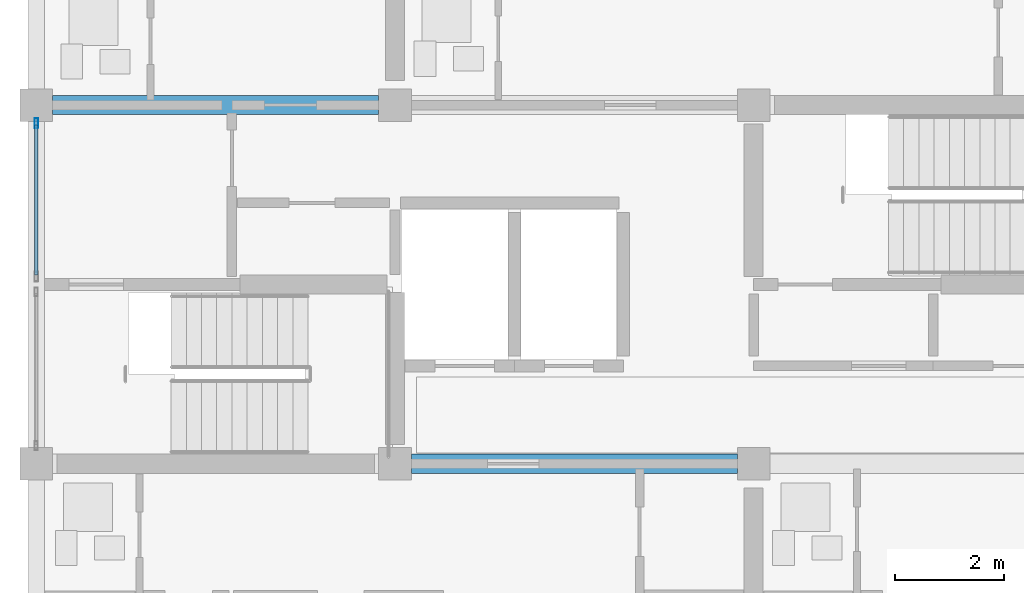
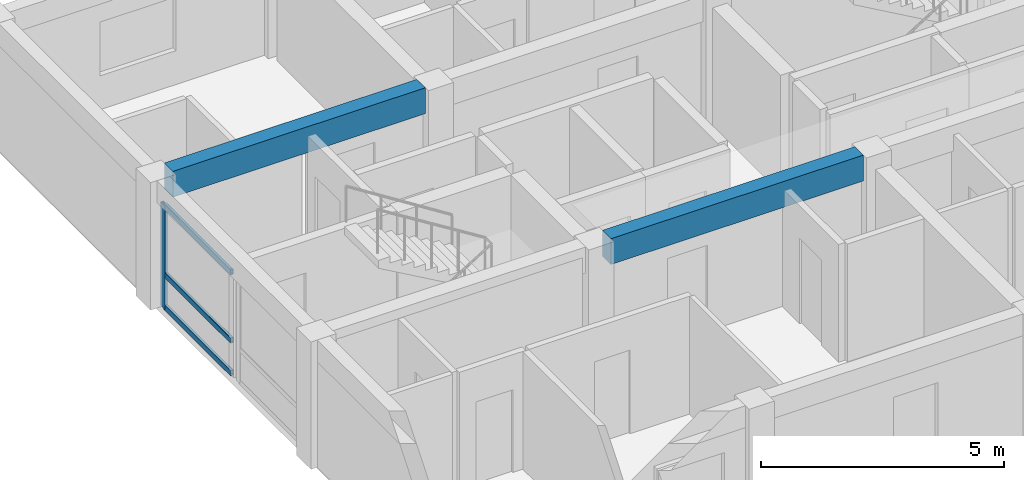
# One storey, part 15 of 51: 4 members, 2 beams, 1 element without a shape of its own.
"""IFC4 building model written with IfcOpenShell, lengths in metres."""

import ifcopenshell
import ifcopenshell.guid

model = None  # the IFC model being written
_history = None  # IfcOwnerHistory: only IFC2X3 demands one
_inside = {}  # id of a spatial element -> (the spatial element, [elements in it])
_under = {}  # id of a project, library or spatial element -> (it, [spatial elements below it])
_declared = {}  # id of a project -> (the project, [libraries it declares])
_typed = {}  # id of a type object -> (the type object, [elements of that type])
_made_of = {}  # id of a material, layer set ... -> (it, [elements and type objects made of it])


def new_model(schema):
    """Start an empty IFC model of exactly this schema.

    Asked for "IFC4X3", IfcOpenShell would pick the latest addendum, in which some entities
    have other attributes; the version numbers below select the first issue.
    IFC2X3 requires an IfcOwnerHistory on every rooted entity: one is made here for all.
    """
    global model, _history
    if schema == "IFC4X3":
        model = ifcopenshell.file(schema_version=(4, 3, 0, 0))
    else:
        model = ifcopenshell.file(schema=schema)
    _inside.clear()
    _under.clear()
    _declared.clear()
    _typed.clear()
    _made_of.clear()
    _history = None
    if model.schema == "IFC2X3":
        org = make("IfcOrganization", Name="unknown")
        user = make(
            "IfcPersonAndOrganization",
            ThePerson=make("IfcPerson", FamilyName="unknown"),
            TheOrganization=org,
        )
        app = make(
            "IfcApplication",
            ApplicationDeveloper=org,
            Version="unknown",
            ApplicationFullName="unknown",
            ApplicationIdentifier="unknown",
        )
        _history = make(
            "IfcOwnerHistory",
            OwningUser=user,
            OwningApplication=app,
            ChangeAction="ADDED",
            CreationDate=0,
        )
    return model


def make(cls, **values):
    """One entity of the class cls with the attributes given. An attribute that is None is left unset."""
    return model.create_entity(
        cls, **{name: value for name, value in values.items() if value is not None}
    )


def rooted(cls, **values):
    """An entity with a GlobalId (a new one), such as an element, a storey or a relation."""
    return make(cls, GlobalId=ifcopenshell.guid.new(), OwnerHistory=_history, **values)


def si_unit(unit_type, name, prefix=None):
    """IfcSIUnit, for example si_unit("LENGTHUNIT", "METRE", prefix="MILLI")."""
    return make("IfcSIUnit", UnitType=unit_type, Prefix=prefix, Name=name)


def assignment(units):
    """IfcUnitAssignment: the units of a project."""
    return None if units is None else make("IfcUnitAssignment", Units=units)


def point(xyz):
    """IfcCartesianPoint."""
    return None if xyz is None else make("IfcCartesianPoint", Coordinates=xyz)


def direction(xyz):
    """IfcDirection."""
    return None if xyz is None else make("IfcDirection", DirectionRatios=xyz)


def frame(location, z_axis=None, x_axis=None):
    """IfcAxis2Placement3D, a coordinate frame: its origin and axes. An axis left out is left unset."""
    return make(
        "IfcAxis2Placement3D",
        Location=point(location),
        Axis=direction(z_axis),
        RefDirection=direction(x_axis),
    )


def frame_2d(location, x_axis=None):
    """IfcAxis2Placement2D, a coordinate frame in the plane: its origin and x axis."""
    return make(
        "IfcAxis2Placement2D", Location=point(location), RefDirection=direction(x_axis)
    )


def origin():
    """The frame at (0, 0, 0) with its axes left unset."""
    return frame((0.0, 0.0, 0.0))


def origin_2d():
    """The frame at (0, 0) in the plane with its x axis left unset."""
    return frame_2d((0.0, 0.0))


def place(relative_to, where):
    """IfcLocalPlacement: puts the frame where relative to a parent placement (None: the world)."""
    return make(
        "IfcLocalPlacement", PlacementRelTo=relative_to, RelativePlacement=where
    )


def context(
    kind, dimensions, precision=None, world=None, true_north=None, identifier=None
):
    """IfcGeometricRepresentationContext, for example the 3D "Model" context."""
    return make(
        "IfcGeometricRepresentationContext",
        ContextIdentifier=identifier,
        ContextType=kind,
        CoordinateSpaceDimension=dimensions,
        Precision=precision,
        WorldCoordinateSystem=world,
        TrueNorth=true_north,
    )


def subcontext(parent, identifier, kind, view, scale=None):
    """IfcGeometricRepresentationSubContext, for example "Body" below "Model"."""
    return make(
        "IfcGeometricRepresentationSubContext",
        ContextIdentifier=identifier,
        ContextType=kind,
        ParentContext=parent,
        TargetScale=scale,
        TargetView=view,
    )


def project(units=None, contexts=None):
    """IfcProject with its units and contexts."""
    return rooted(
        "IfcProject",
        Name="project",
        RepresentationContexts=contexts,
        UnitsInContext=assignment(units),
    )


def spatial(cls, under=None, at=None, **own):
    """A site, building, storey or space (cls), placed at a placement, below another one or the project."""
    s = rooted(cls, ObjectPlacement=at, **own)
    if under is not None:
        _under.setdefault(under.id(), (under, []))[1].append(s)
    return s


def profile(cls, at=None, kind="AREA", **sizes):
    """A parametric profile (cls). Its sizes go by their IFC names, for example OverallWidth=200.0."""
    return make(cls, ProfileType=kind, Position=at, **sizes)


def rectangle(**sizes):
    """IfcRectangleProfileDef."""
    return profile("IfcRectangleProfileDef", **sizes)


def hollow_rectangle(**sizes):
    """IfcRectangleHollowProfileDef."""
    return profile("IfcRectangleHollowProfileDef", **sizes)


def extrude(swept, where, along, depth):
    """IfcExtrudedAreaSolid: the profile swept, set in the frame where, extruded along a direction by depth."""
    return make(
        "IfcExtrudedAreaSolid",
        SweptArea=swept,
        Position=where,
        ExtrudedDirection=direction(along),
        Depth=depth,
    )


def shape(context_of_items, identifier, shape_type, items):
    """IfcShapeRepresentation: the items that make up one representation, for example the "Body"."""
    return make(
        "IfcShapeRepresentation",
        ContextOfItems=context_of_items,
        RepresentationIdentifier=identifier,
        RepresentationType=shape_type,
        Items=items,
    )


def material(Name=None, Category=None):
    """IfcMaterial."""
    return make("IfcMaterial", Name=Name, Category=Category)


def material_profile(
    of_material, cross_section, Name=None, Category=None, Priority=None
):
    """IfcMaterialProfile: a cross section and its material."""
    return make(
        "IfcMaterialProfile",
        Name=Name,
        Material=of_material,
        Profile=cross_section,
        Priority=Priority,
        Category=Category,
    )


def profile_set(profiles, Name=None, composite=None):
    """IfcMaterialProfileSet."""
    return make(
        "IfcMaterialProfileSet",
        Name=Name,
        MaterialProfiles=profiles,
        CompositeProfile=composite,
    )


def made_of(thing, what):
    """Note that an element or type object is made of a material, layer set ...; save() writes the relation."""
    if what is not None:
        _made_of.setdefault(what.id(), (what, []))[1].append(thing)
    return thing


def type_object(cls, material=None, **own):
    """A type object (cls), such as IfcWallType, which elements share."""
    return made_of(rooted(cls, **own), material)


def element(
    cls,
    number,
    at=None,
    inside=None,
    cuts=None,
    type_object=None,
    material=None,
    context=None,
    identifier="Body",
    shape_type=None,
    held_by="IfcProductDefinitionShape",
    body=None,
    shapes=None,
    **own,
):
    """One element of the class cls, such as IfcWall. Its Tag is "e" and its number.

    at: its placement. inside: the storey or other place that contains it. cuts: it is an
    opening in that element (IfcRelVoidsElement). A single representation is given by context,
    identifier, shape_type and body (its items); several are given by shapes. held_by: the class
    of the entity that holds the representations. save() writes the other relations.
    """
    e = rooted(cls, Tag="e%d" % number, ObjectPlacement=at, **own)
    if body is not None:
        shapes = [shape(context, identifier, shape_type, body)]
    if shapes is not None:
        e.Representation = make(held_by, Representations=shapes)
    if inside is not None:
        _inside.setdefault(inside.id(), (inside, []))[1].append(e)
    if cuts is not None:
        rooted(
            "IfcRelVoidsElement", RelatingBuildingElement=cuts, RelatedOpeningElement=e
        )
    if type_object is not None:
        _typed.setdefault(type_object.id(), (type_object, []))[1].append(e)
    return made_of(e, material)


def aggregate(whole, parts):
    """IfcRelAggregates: a whole, such as a stair, and the parts it consists of."""
    return rooted("IfcRelAggregates", RelatingObject=whole, RelatedObjects=parts)


def save(model, path):
    """Write the relations noted so far, then the file.

    IfcRelAggregates (storeys below a building ...), IfcRelContainedInSpatialStructure (elements
    in a storey), IfcRelDefinesByType, IfcRelAssociatesMaterial and IfcRelDeclares: one each for
    every whole, place, type object, material and project.
    """
    for whole, parts in _under.values():
        aggregate(whole, parts)
    for where, things in _inside.values():
        rooted(
            "IfcRelContainedInSpatialStructure",
            RelatedElements=things,
            RelatingStructure=where,
        )
    for kind, things in _typed.values():
        rooted("IfcRelDefinesByType", RelatedObjects=things, RelatingType=kind)
    for what, things in _made_of.values():
        rooted("IfcRelAssociatesMaterial", RelatedObjects=things, RelatingMaterial=what)
    for by, libraries in _declared.values():
        rooted("IfcRelDeclares", RelatingContext=by, RelatedDefinitions=libraries)
    model.write(path)


model = new_model("IFC4")

# Units and contexts
model_context = context("Model", 3, precision=1e-05, world=origin(), true_north=direction((0.0, 1.0)))
body_context = subcontext(model_context, "Body", "Model", "MODEL_VIEW")
ifc_project = project(units=[si_unit("LENGTHUNIT", "METRE"), si_unit("AREAUNIT", "SQUARE_METRE"), si_unit("VOLUMEUNIT", "CUBIC_METRE"), si_unit("PLANEANGLEUNIT", "RADIAN"), si_unit("MASSUNIT", "GRAM", prefix="KILO")], contexts=[model_context])

# Site, building, storey
site_placement = place(None, origin())
site = spatial("IfcSite", under=ifc_project, at=site_placement, CompositionType="ELEMENT")
building_placement = place(site_placement, origin())
building = spatial("IfcBuilding", under=site, at=building_placement, Name="Kernevlak Ridge Housing Community", CompositionType="ELEMENT")
storey_placement = place(building_placement, frame((0.0, 0.0, 8.39990234375)))
storey = spatial("IfcBuildingStorey", under=building, at=storey_placement, Name="L02", CompositionType="ELEMENT", Elevation=8.39990234375)

# Beams
ifc_material_1 = material(Name="Concrete C35/45", Category="concrete")
ifc_material_profile_1 = material_profile(ifc_material_1, rectangle(XDim=0.35009765625, YDim=0.64990234375, at=origin_2d()), Name="RC 350x650")
ifc_profile_set_1 = profile_set([ifc_material_profile_1], Name="Concrete C35/45")
beam_type = type_object("IfcBeamType", Name="B-02", PredefinedType="BEAM", material=ifc_profile_set_1)
for number, where, z_axis, x_axis, name in (
    (1, (22.5, 82.60009765625, 2.875), (1.0, 0.0, 0.0), (0.0, 1.0, 0.0), "Beam B-02 L02 115"),
    (2, (15.89990234375, 89.199951171875, 2.875), (1.0, 0.0, 0.0), (0.0, 1.0, 0.0), "Beam B-02 L02 119"),
):
    element("IfcBeam", number, at=place(storey_placement, frame(where, z_axis=z_axis, x_axis=x_axis)), inside=storey, type_object=beam_type, Name=name, PredefinedType="BEAM", context=body_context, shape_type="SweptSolid", body=[
        extrude(rectangle(XDim=0.35009765625, YDim=0.64990234375, at=origin_2d()), origin(), (0.0, 0.0, 1.0), 6.0),
    ])

# Curtain wall, members
ifc_material_2 = material(Name="Aluminium EN AW-6060 anodised and laminated glass", Category="aluminium")
curtain_wall_type = type_object("IfcCurtainWallType", Name="CW-06", PredefinedType="NOTDEFINED", material=ifc_material_2)
curtain_wall_placement = place(storey_placement, origin())
curtain_wall = element("IfcCurtainWall", 3, at=curtain_wall_placement, inside=storey, type_object=curtain_wall_type, Name="Curtain wall CW-06 CW-L02-008", PredefinedType="NOTDEFINED")
ifc_material_3 = material(Name="Aluminium EN AW-6060 anodised", Category="aluminium")
ifc_material_profile_2 = material_profile(ifc_material_3, hollow_rectangle(XDim=0.06494140625, YDim=0.179931640625, WallThickness=0.00439453125, InnerFilletRadius=0.001953125, OuterFilletRadius=0.00439453125, at=origin_2d()), Name="ALU 65x180x4.5")
ifc_profile_set_2 = profile_set([ifc_material_profile_2], Name="Aluminium EN AW-6060 anodised")
member_type_1 = type_object("IfcMemberType", Name="MU-03", PredefinedType="MULLION", material=ifc_profile_set_2)
member_1_placement = place(storey_placement, frame((15.60009765625, 88.867431640625, 0.0), z_axis=(0.0, 0.0, 1.0), x_axis=(-1.0, 0.0, 0.0)))
member_1 = element("IfcMember", 4, at=member_1_placement, type_object=member_type_1, Name="CW-06 mullion 2", PredefinedType="MULLION", context=body_context, shape_type="SweptSolid", body=[
    extrude(hollow_rectangle(XDim=0.06494140625, YDim=0.179931640625, WallThickness=0.00439453125, InnerFilletRadius=0.001953125, OuterFilletRadius=0.00439453125, at=origin_2d()), origin(), (0.0, 0.0, 1.0), 2.60009765625),
])
ifc_material_profile_3 = material_profile(ifc_material_3, hollow_rectangle(XDim=0.06494140625, YDim=0.139892578125, WallThickness=0.00390625, InnerFilletRadius=0.001953125, OuterFilletRadius=0.00390625, at=origin_2d()), Name="ALU 65x140x4")
ifc_profile_set_3 = profile_set([ifc_material_profile_3], Name="Aluminium EN AW-6060 anodised")
member_type_2 = type_object("IfcMemberType", Name="TM-03", PredefinedType="USERDEFINED", material=ifc_profile_set_3)
member_2_placement = place(storey_placement, frame((15.60009765625, 86.074951171875, 0.03271484375), z_axis=(0.0, 1.0, 0.0), x_axis=(-1.0, 0.0, 0.0)))
member_2 = element("IfcMember", 5, at=member_2_placement, type_object=member_type_2, Name="CW-06 transom 1.1", ObjectType="TRANSOM", PredefinedType="USERDEFINED", context=body_context, shape_type="SweptSolid", body=[
    extrude(hollow_rectangle(XDim=0.06494140625, YDim=0.139892578125, WallThickness=0.00390625, InnerFilletRadius=0.001953125, OuterFilletRadius=0.00390625, at=origin_2d()), origin(), (0.0, 0.0, 1.0), 2.760009765625),
])
member_3_placement = place(storey_placement, frame((15.60009765625, 86.074951171875, 0.85009765625), z_axis=(0.0, 1.0, 0.0), x_axis=(-1.0, 0.0, 0.0)))
member_3 = element("IfcMember", 6, at=member_3_placement, type_object=member_type_2, Name="CW-06 transom 1.2", ObjectType="TRANSOM", PredefinedType="USERDEFINED", context=body_context, shape_type="SweptSolid", body=[
    extrude(hollow_rectangle(XDim=0.06494140625, YDim=0.139892578125, WallThickness=0.00390625, InnerFilletRadius=0.001953125, OuterFilletRadius=0.00390625, at=origin_2d()), origin(), (0.0, 0.0, 1.0), 2.760009765625),
])
member_4_placement = place(storey_placement, frame((15.60009765625, 86.074951171875, 2.567626953125), z_axis=(0.0, 1.0, 0.0), x_axis=(-1.0, 0.0, 0.0)))
member_4 = element("IfcMember", 7, at=member_4_placement, type_object=member_type_2, Name="CW-06 transom 1.3", ObjectType="TRANSOM", PredefinedType="USERDEFINED", context=body_context, shape_type="SweptSolid", body=[
    extrude(hollow_rectangle(XDim=0.06494140625, YDim=0.139892578125, WallThickness=0.00390625, InnerFilletRadius=0.001953125, OuterFilletRadius=0.00390625, at=origin_2d()), origin(), (0.0, 0.0, 1.0), 2.760009765625),
])
aggregate(curtain_wall, [member_1, member_2, member_3, member_4])

save(model, "model.ifc")
